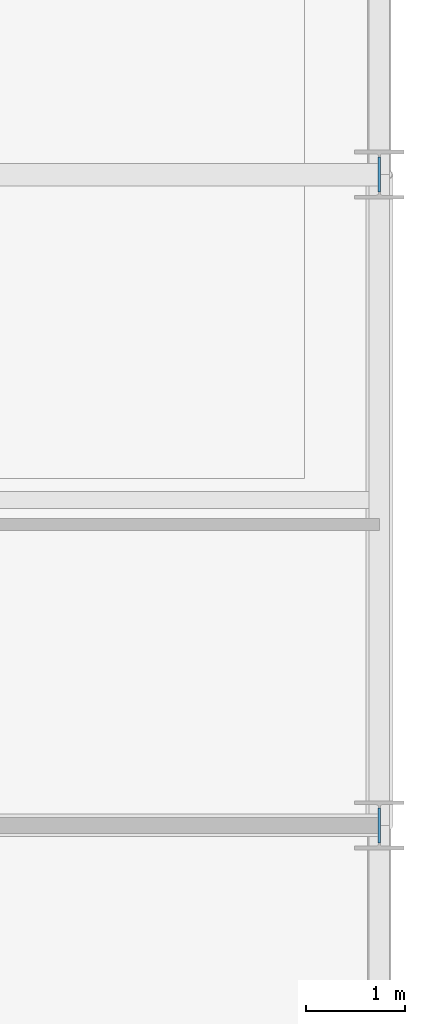
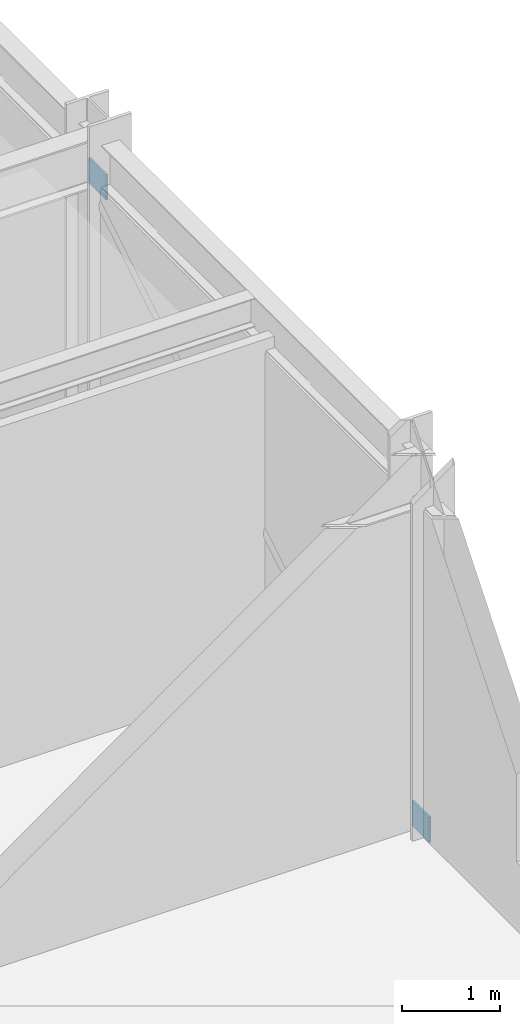
# One storey, part 120 of 144: 2 plates.
"""IFC4 building model written with IfcOpenShell, lengths in metres."""

from ifc_helpers import new_model, si_unit, direction, frame, origin, origin_2d, place, context, subcontext, project, spatial, rectangle, extrude, material, layer, layer_set, type_object, element, save


model = new_model("IFC4")

# Units and contexts
model_context = context("Model", 3, precision=1e-05, world=origin(), true_north=direction((0.0, 1.0)))
body_context = subcontext(model_context, "Body", "Model", "MODEL_VIEW")
ifc_project = project(units=[si_unit("LENGTHUNIT", "METRE"), si_unit("AREAUNIT", "SQUARE_METRE"), si_unit("VOLUMEUNIT", "CUBIC_METRE"), si_unit("PLANEANGLEUNIT", "RADIAN"), si_unit("MASSUNIT", "GRAM", prefix="KILO")], contexts=[model_context])

# Site, building, storey
site_placement = place(None, origin())
site = spatial("IfcSite", under=ifc_project, at=site_placement, CompositionType="ELEMENT")
building_placement = place(site_placement, origin())
building = spatial("IfcBuilding", under=site, at=building_placement, Name="Karori Crest Natural Sciences Institute", CompositionType="ELEMENT")
storey_placement = place(building_placement, origin())
storey = spatial("IfcBuildingStorey", under=building, at=storey_placement, Name="L00", CompositionType="ELEMENT", Elevation=0.0)

# Plates
ifc_material = material(Name="Structural steel AS/NZS 3679.1 Grade 350", Category="steel")
ifc_layer = layer(ifc_material, 0.02490234375, Name="Structural steel AS/NZS 3679.1 Grade 350")
ifc_layer_set = layer_set([ifc_layer], Name="Structural steel AS/NZS 3679.1 Grade 350")
plate_type = type_object("IfcPlateType", Name="PLT-06-EL", PredefinedType="SHEET", material=ifc_layer_set)
for number, where, z_axis, x_axis, name in (
    (1, (162.199951171875, 7.39990234375, -0.146484375), (0.0, 0.0, 1.0), (0.0, 1.0, 0.0), "Brace gusset plate EP-0390"),
    (2, (162.199951171875, 14.0, 3.861572265625), (0.0, 0.0, 1.0), (0.0, 1.0, 0.0), "Brace gusset plate EP-0391"),
):
    element("IfcPlate", number, at=place(storey_placement, frame(where, z_axis=z_axis, x_axis=x_axis)), inside=storey, type_object=plate_type, Name=name, PredefinedType="SHEET", context=body_context, shape_type="SweptSolid", body=[
        extrude(rectangle(XDim=0.35302734375, YDim=0.02490234375, at=origin_2d()), origin(), (0.0, 0.0, 1.0), 0.31298828125),
    ])

save(model, "model.ifc")
